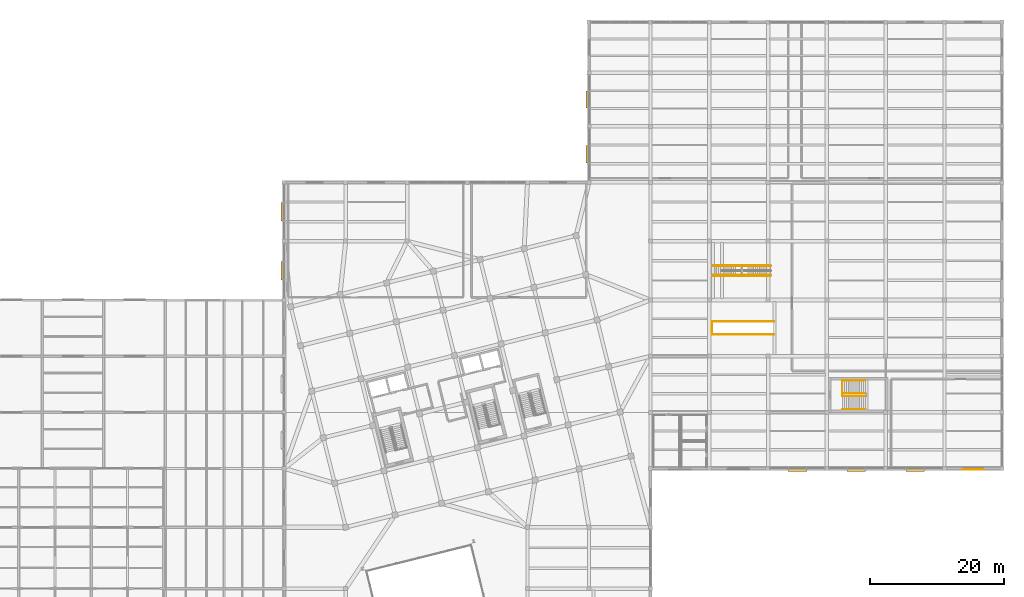
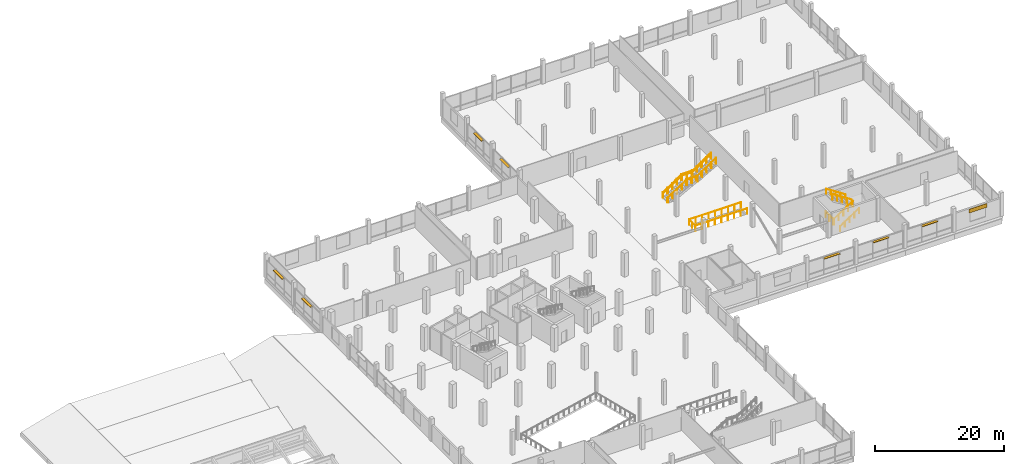
# One storey, part 76 of 77: 20 railings, 7 shading devices, 1 covering.
"""IFC4 building model written with IfcOpenShell, lengths in metres."""

from ifc_helpers import new_model, si_unit, direction, frame, origin, origin_2d, place, context, subcontext, project, spatial, rectangle, circle, extrude, material, layer, layer_set, type_object, element, save


model = new_model("IFC4")

# Units and contexts
model_context = context("Model", 3, precision=1e-05, world=origin(), true_north=direction((0.0, 1.0)))
body_context = subcontext(model_context, "Body", "Model", "MODEL_VIEW")
ifc_project = project(units=[si_unit("LENGTHUNIT", "METRE"), si_unit("AREAUNIT", "SQUARE_METRE"), si_unit("VOLUMEUNIT", "CUBIC_METRE"), si_unit("PLANEANGLEUNIT", "RADIAN"), si_unit("MASSUNIT", "GRAM", prefix="KILO")], contexts=[model_context])

# Site, building, storey
site_placement = place(None, origin())
site = spatial("IfcSite", under=ifc_project, at=site_placement, CompositionType="ELEMENT")
building_placement = place(site_placement, origin())
building = spatial("IfcBuilding", under=site, at=building_placement, Name="Meriwether Solvik Hall", CompositionType="ELEMENT")
storey_placement = place(building_placement, frame((0.0, 0.0, 9.89990234375)))
storey = spatial("IfcBuildingStorey", under=building, at=storey_placement, Name="L02", CompositionType="ELEMENT", Elevation=9.89990234375)

# Covering
ifc_material_1 = material(Name="Glazed Extruded Terracotta Ceramic", Category="masonry")
ifc_layer_1 = layer(ifc_material_1, 0.044921875)
ifc_layer_set_1 = layer_set([ifc_layer_1], Name="Glazed Extruded Terracotta Ceramic")
covering_type = type_object("IfcCoveringType", Name="COV-CLAD-TERRA", PredefinedType="CLADDING", material=ifc_layer_set_1)
covering_placement = place(storey_placement, frame((162.5, 49.824951171875, 2.59521484375), z_axis=(0.0, 0.0, 1.0), x_axis=(-1.0, 0.0, 0.0)))
element("IfcCovering", 1, at=covering_placement, inside=storey, type_object=covering_type, Name="L02 Facade Cladding XF_18_11", PredefinedType="CLADDING", context=body_context, shape_type="SweptSolid", body=[
    extrude(rectangle(XDim=3.199951171875, YDim=0.044921875, at=origin_2d()), origin(), (0.0, 0.0, 1.0), 0.75),
])

# Railings
ifc_material_2 = material(Name="Steel A36 Galvanised", Category="steel")
ifc_layer_2 = layer(ifc_material_2, 0.054931640625)
ifc_layer_set_2 = layer_set([ifc_layer_2], Name="Steel A36 Galvanised")
railing_type_1 = type_object("IfcRailingType", Name="RAIL-STR-GUARD", PredefinedType="GUARDRAIL", material=ifc_layer_set_2)
railing_1_placement = place(storey_placement, frame((142.889892578125, 60.840087890625, 0.0)))
element("IfcRailing", 2, at=railing_1_placement, inside=storey, type_object=railing_type_1, Name="Stair ST-05 Well Guardrail (L02)", PredefinedType="GUARDRAIL", context=body_context, shape_type="SweptSolid", body=[
    extrude(circle(Radius=0.02392578125, at=origin_2d()), frame((0.0, 0.0, 1.09619140625), z_axis=(0.0, 1.0, 0.0), x_axis=(-1.0, 0.0, 0.0)), (0.0, 0.0, 1.0), 2.35986328125),
    extrude(circle(Radius=0.02099609375, at=origin_2d()), origin(), (0.0, 0.0, 1.0), 1.072021484375),
    extrude(circle(Radius=0.02099609375, at=origin_2d()), frame((0.0, 1.179931640625, 0.0)), (0.0, 0.0, 1.0), 1.072021484375),
    extrude(circle(Radius=0.02099609375, at=origin_2d()), frame((0.0, 2.35986328125, 0.0)), (0.0, 0.0, 1.0), 1.072021484375),
])
railing_2_placement = place(storey_placement, frame((142.949951171875, 60.800048828125, 0.0)))
element("IfcRailing", 3, at=railing_2_placement, inside=storey, type_object=railing_type_1, Name="Stair ST-05 Flight 1 Inner Guardrail (L02)", PredefinedType="GUARDRAIL", context=body_context, shape_type="SweptSolid", body=[
    extrude(circle(Radius=0.02392578125, at=origin_2d()), frame((0.0, 0.0, 1.09619140625), z_axis=(0.835429331894, 0.0, 0.549597881557), x_axis=(0.0, 1.0, 0.0)), (0.0, 0.0, 1.0), 4.093994140625),
    extrude(circle(Radius=0.02099609375, at=origin_2d()), origin(), (0.0, 0.0, 1.0), 1.072021484375),
    extrude(circle(Radius=0.02099609375, at=origin_2d()), frame((0.85498046875, 0.0, 0.5625)), (0.0, 0.0, 1.0), 1.072021484375),
    extrude(circle(Radius=0.02099609375, at=origin_2d()), frame((1.7099609375, 0.0, 1.125)), (0.0, 0.0, 1.0), 1.072021484375),
    extrude(circle(Radius=0.02099609375, at=origin_2d()), frame((2.565185546875, 0.0, 1.6875)), (0.0, 0.0, 1.0), 1.072021484375),
    extrude(circle(Radius=0.02099609375, at=origin_2d()), frame((3.420166015625, 0.0, 2.25)), (0.0, 0.0, 1.0), 1.072021484375),
])
railing_3_placement = place(storey_placement, frame((146.3701171875, 61.199951171875, 2.25)))
element("IfcRailing", 4, at=railing_3_placement, inside=storey, type_object=railing_type_1, Name="Stair ST-05 Flight 2 Inner Guardrail (L02)", PredefinedType="GUARDRAIL", context=body_context, shape_type="SweptSolid", body=[
    extrude(circle(Radius=0.02392578125, at=origin_2d()), frame((0.0, 0.0, 1.09619140625), z_axis=(-0.835429331894, 0.0, 0.549597881557), x_axis=(0.0, -1.0, 0.0)), (0.0, 0.0, 1.0), 4.093994140625),
    extrude(circle(Radius=0.02099609375, at=origin_2d()), origin(), (0.0, 0.0, 1.0), 1.072021484375),
    extrude(circle(Radius=0.02099609375, at=origin_2d()), frame((-0.85498046875, 0.0, 0.5625)), (0.0, 0.0, 1.0), 1.072021484375),
    extrude(circle(Radius=0.02099609375, at=origin_2d()), frame((-1.7099609375, 0.0, 1.125)), (0.0, 0.0, 1.0), 1.072021484375),
    extrude(circle(Radius=0.02099609375, at=origin_2d()), frame((-2.565185546875, 0.0, 1.6875)), (0.0, 0.0, 1.0), 1.072021484375),
    extrude(circle(Radius=0.02099609375, at=origin_2d()), frame((-3.420166015625, 0.0, 2.25)), (0.0, 0.0, 1.0), 1.072021484375),
])
railing_4_placement = place(storey_placement, frame((132.72998046875, 70.034912109375, 0.0)))
element("IfcRailing", 5, at=railing_4_placement, inside=storey, type_object=railing_type_1, Name="Stair ST-LB1 Arrival Well Guardrail (L02) 1", PredefinedType="GUARDRAIL", context=body_context, shape_type="SweptSolid", body=[
    extrude(circle(Radius=0.02392578125, at=origin_2d()), frame((0.0, 0.0, 1.09619140625), z_axis=(-1.0, 0.0, 0.0), x_axis=(0.0, -1.0, 0.0)), (0.0, 0.0, 1.0), 9.307861328125),
    extrude(circle(Radius=0.02099609375, at=origin_2d()), origin(), (0.0, 0.0, 1.0), 1.072021484375),
    extrude(circle(Radius=0.02099609375, at=origin_2d()), frame((-1.16357421875, 0.0, 0.0)), (0.0, 0.0, 1.0), 1.072021484375),
    extrude(circle(Radius=0.02099609375, at=origin_2d()), frame((-2.326904296875, 0.0, 0.0)), (0.0, 0.0, 1.0), 1.072021484375),
    extrude(circle(Radius=0.02099609375, at=origin_2d()), frame((-3.490478515625, 0.0, 0.0)), (0.0, 0.0, 1.0), 1.072021484375),
    extrude(circle(Radius=0.02099609375, at=origin_2d()), frame((-4.65380859375, 0.0, 0.0)), (0.0, 0.0, 1.0), 1.072021484375),
    extrude(circle(Radius=0.02099609375, at=origin_2d()), frame((-5.8173828125, 0.0, 0.0)), (0.0, 0.0, 1.0), 1.072021484375),
    extrude(circle(Radius=0.02099609375, at=origin_2d()), frame((-6.98095703125, 0.0, 0.0)), (0.0, 0.0, 1.0), 1.072021484375),
    extrude(circle(Radius=0.02099609375, at=origin_2d()), frame((-8.144287109375, 0.0, 0.0)), (0.0, 0.0, 1.0), 1.072021484375),
    extrude(circle(Radius=0.02099609375, at=origin_2d()), frame((-9.307861328125, 0.0, 0.0)), (0.0, 0.0, 1.0), 1.072021484375),
])
railing_5_placement = place(storey_placement, frame((123.389892578125, 70.06689453125, 0.0)))
element("IfcRailing", 6, at=railing_5_placement, inside=storey, type_object=railing_type_1, Name="Stair ST-LB1 Arrival Well Guardrail (L02) 2", PredefinedType="GUARDRAIL", context=body_context, shape_type="SweptSolid", body=[
    extrude(circle(Radius=0.02392578125, at=origin_2d()), frame((0.0, 0.0, 1.09619140625), z_axis=(0.0, 1.0, 0.0), x_axis=(-1.0, 0.0, 0.0)), (0.0, 0.0, 1.0), 1.8662109375),
    extrude(circle(Radius=0.02099609375, at=origin_2d()), origin(), (0.0, 0.0, 1.0), 1.072021484375),
    extrude(circle(Radius=0.02099609375, at=origin_2d()), frame((0.0, 0.93310546875, 0.0)), (0.0, 0.0, 1.0), 1.072021484375),
    extrude(circle(Radius=0.02099609375, at=origin_2d()), frame((0.0, 1.8662109375, 0.0)), (0.0, 0.0, 1.0), 1.072021484375),
])
railing_6_placement = place(storey_placement, frame((123.422119140625, 71.965087890625, 0.0)))
element("IfcRailing", 7, at=railing_6_placement, inside=storey, type_object=railing_type_1, Name="Stair ST-LB1 Arrival Well Guardrail (L02) 3", PredefinedType="GUARDRAIL", context=body_context, shape_type="SweptSolid", body=[
    extrude(circle(Radius=0.02392578125, at=origin_2d()), frame((0.0, 0.0, 1.09619140625), z_axis=(1.0, 0.0, 0.0), x_axis=(0.0, 1.0, 0.0)), (0.0, 0.0, 1.0), 9.307861328125),
    extrude(circle(Radius=0.02099609375, at=origin_2d()), origin(), (0.0, 0.0, 1.0), 1.072021484375),
    extrude(circle(Radius=0.02099609375, at=origin_2d()), frame((1.16357421875, 0.0, 0.0)), (0.0, 0.0, 1.0), 1.072021484375),
    extrude(circle(Radius=0.02099609375, at=origin_2d()), frame((2.326904296875, 0.0, 0.0)), (0.0, 0.0, 1.0), 1.072021484375),
    extrude(circle(Radius=0.02099609375, at=origin_2d()), frame((3.490478515625, 0.0, 0.0)), (0.0, 0.0, 1.0), 1.072021484375),
    extrude(circle(Radius=0.02099609375, at=origin_2d()), frame((4.65380859375, 0.0, 0.0)), (0.0, 0.0, 1.0), 1.072021484375),
    extrude(circle(Radius=0.02099609375, at=origin_2d()), frame((5.8173828125, 0.0, 0.0)), (0.0, 0.0, 1.0), 1.072021484375),
    extrude(circle(Radius=0.02099609375, at=origin_2d()), frame((6.98095703125, 0.0, 0.0)), (0.0, 0.0, 1.0), 1.072021484375),
    extrude(circle(Radius=0.02099609375, at=origin_2d()), frame((8.144287109375, 0.0, 0.0)), (0.0, 0.0, 1.0), 1.072021484375),
    extrude(circle(Radius=0.02099609375, at=origin_2d()), frame((9.307861328125, 0.0, 0.0)), (0.0, 0.0, 1.0), 1.072021484375),
])
railing_7_placement = place(storey_placement, frame((123.550048828125, 78.804931640625, 0.0)))
element("IfcRailing", 8, at=railing_7_placement, inside=storey, type_object=railing_type_1, Name="Stair ST-LB3 Guardrail L 1", PredefinedType="GUARDRAIL", context=body_context, shape_type="SweptSolid", body=[
    extrude(circle(Radius=0.02392578125, at=origin_2d()), frame((0.0, 0.0, 1.09619140625), z_axis=(0.830876226879, 0.0, 0.55645727204), x_axis=(0.0, 1.0, 0.0)), (0.0, 0.0, 1.0), 4.00537109375),
    extrude(circle(Radius=0.02099609375, at=origin_2d()), origin(), (0.0, 0.0, 1.0), 1.072021484375),
    extrude(circle(Radius=0.02099609375, at=origin_2d()), frame((0.83203125, 0.0, 0.55712890625)), (0.0, 0.0, 1.0), 1.072021484375),
    extrude(circle(Radius=0.02099609375, at=origin_2d()), frame((1.6640625, 0.0, 1.1142578125)), (0.0, 0.0, 1.0), 1.072021484375),
    extrude(circle(Radius=0.02099609375, at=origin_2d()), frame((2.495849609375, 0.0, 1.671630859375)), (0.0, 0.0, 1.0), 1.072021484375),
    extrude(circle(Radius=0.02099609375, at=origin_2d()), frame((3.327880859375, 0.0, 2.228759765625)), (0.0, 0.0, 1.0), 1.072021484375),
])
railing_8_placement = place(storey_placement, frame((126.94189453125, 78.804931640625, 2.25)))
element("IfcRailing", 9, at=railing_8_placement, inside=storey, type_object=railing_type_1, Name="Stair ST-LB3 Guardrail L 2", PredefinedType="GUARDRAIL", context=body_context, shape_type="SweptSolid", body=[
    extrude(circle(Radius=0.02392578125, at=origin_2d()), frame((0.0, 0.0, 1.09619140625), z_axis=(1.0, 0.0, 0.0), x_axis=(0.0, 1.0, 0.0)), (0.0, 0.0, 1.0), 1.836181640625),
    extrude(circle(Radius=0.02099609375, at=origin_2d()), origin(), (0.0, 0.0, 1.0), 1.072021484375),
    extrude(circle(Radius=0.02099609375, at=origin_2d()), frame((0.91796875, 0.0, 0.0)), (0.0, 0.0, 1.0), 1.072021484375),
    extrude(circle(Radius=0.02099609375, at=origin_2d()), frame((1.836181640625, 0.0, 0.0)), (0.0, 0.0, 1.0), 1.072021484375),
])
railing_9_placement = place(storey_placement, frame((128.842041015625, 78.804931640625, 2.271484375)))
element("IfcRailing", 10, at=railing_9_placement, inside=storey, type_object=railing_type_1, Name="Stair ST-LB3 Guardrail L 3", PredefinedType="GUARDRAIL", context=body_context, shape_type="SweptSolid", body=[
    extrude(circle(Radius=0.02392578125, at=origin_2d()), frame((0.0, 0.0, 1.09619140625), z_axis=(0.830904409092, 0.0, 0.556415189362), x_axis=(0.0, 1.0, 0.0)), (0.0, 0.0, 1.0), 4.005126953125),
    extrude(circle(Radius=0.02099609375, at=origin_2d()), origin(), (0.0, 0.0, 1.0), 1.072021484375),
    extrude(circle(Radius=0.02099609375, at=origin_2d()), frame((0.83203125, 0.0, 0.55712890625)), (0.0, 0.0, 1.0), 1.072021484375),
    extrude(circle(Radius=0.02099609375, at=origin_2d()), frame((1.6640625, 0.0, 1.1142578125)), (0.0, 0.0, 1.0), 1.072021484375),
    extrude(circle(Radius=0.02099609375, at=origin_2d()), frame((2.495849609375, 0.0, 1.67138671875)), (0.0, 0.0, 1.0), 1.072021484375),
    extrude(circle(Radius=0.02099609375, at=origin_2d()), frame((3.327880859375, 0.0, 2.228515625)), (0.0, 0.0, 1.0), 1.072021484375),
])
railing_10_placement = place(storey_placement, frame((123.550048828125, 80.39501953125, 0.0)))
element("IfcRailing", 11, at=railing_10_placement, inside=storey, type_object=railing_type_1, Name="Stair ST-LB3 Guardrail R 1", PredefinedType="GUARDRAIL", context=body_context, shape_type="SweptSolid", body=[
    extrude(circle(Radius=0.02392578125, at=origin_2d()), frame((0.0, 0.0, 1.09619140625), z_axis=(0.830876226879, 0.0, 0.55645727204), x_axis=(0.0, 1.0, 0.0)), (0.0, 0.0, 1.0), 4.00537109375),
    extrude(circle(Radius=0.02099609375, at=origin_2d()), origin(), (0.0, 0.0, 1.0), 1.072021484375),
    extrude(circle(Radius=0.02099609375, at=origin_2d()), frame((0.83203125, 0.0, 0.55712890625)), (0.0, 0.0, 1.0), 1.072021484375),
    extrude(circle(Radius=0.02099609375, at=origin_2d()), frame((1.6640625, 0.0, 1.1142578125)), (0.0, 0.0, 1.0), 1.072021484375),
    extrude(circle(Radius=0.02099609375, at=origin_2d()), frame((2.495849609375, 0.0, 1.671630859375)), (0.0, 0.0, 1.0), 1.072021484375),
    extrude(circle(Radius=0.02099609375, at=origin_2d()), frame((3.327880859375, 0.0, 2.228759765625)), (0.0, 0.0, 1.0), 1.072021484375),
])
railing_11_placement = place(storey_placement, frame((126.94189453125, 80.39501953125, 2.25)))
element("IfcRailing", 12, at=railing_11_placement, inside=storey, type_object=railing_type_1, Name="Stair ST-LB3 Guardrail R 2", PredefinedType="GUARDRAIL", context=body_context, shape_type="SweptSolid", body=[
    extrude(circle(Radius=0.02392578125, at=origin_2d()), frame((0.0, 0.0, 1.09619140625), z_axis=(1.0, 0.0, 0.0), x_axis=(0.0, 1.0, 0.0)), (0.0, 0.0, 1.0), 1.836181640625),
    extrude(circle(Radius=0.02099609375, at=origin_2d()), origin(), (0.0, 0.0, 1.0), 1.072021484375),
    extrude(circle(Radius=0.02099609375, at=origin_2d()), frame((0.91796875, 0.0, 0.0)), (0.0, 0.0, 1.0), 1.072021484375),
    extrude(circle(Radius=0.02099609375, at=origin_2d()), frame((1.836181640625, 0.0, 0.0)), (0.0, 0.0, 1.0), 1.072021484375),
])
railing_12_placement = place(storey_placement, frame((128.842041015625, 80.39501953125, 2.271484375)))
element("IfcRailing", 13, at=railing_12_placement, inside=storey, type_object=railing_type_1, Name="Stair ST-LB3 Guardrail R 3", PredefinedType="GUARDRAIL", context=body_context, shape_type="SweptSolid", body=[
    extrude(circle(Radius=0.02392578125, at=origin_2d()), frame((0.0, 0.0, 1.09619140625), z_axis=(0.830904409092, 0.0, 0.556415189362), x_axis=(0.0, 1.0, 0.0)), (0.0, 0.0, 1.0), 4.005126953125),
    extrude(circle(Radius=0.02099609375, at=origin_2d()), origin(), (0.0, 0.0, 1.0), 1.072021484375),
    extrude(circle(Radius=0.02099609375, at=origin_2d()), frame((0.83203125, 0.0, 0.55712890625)), (0.0, 0.0, 1.0), 1.072021484375),
    extrude(circle(Radius=0.02099609375, at=origin_2d()), frame((1.6640625, 0.0, 1.1142578125)), (0.0, 0.0, 1.0), 1.072021484375),
    extrude(circle(Radius=0.02099609375, at=origin_2d()), frame((2.495849609375, 0.0, 1.67138671875)), (0.0, 0.0, 1.0), 1.072021484375),
    extrude(circle(Radius=0.02099609375, at=origin_2d()), frame((3.327880859375, 0.0, 2.228515625)), (0.0, 0.0, 1.0), 1.072021484375),
])
ifc_material_3 = material(Name="Stainless Steel AISI 316", Category="steel")
ifc_layer_3 = layer(ifc_material_3, 0.044921875)
ifc_layer_set_3 = layer_set([ifc_layer_3], Name="Stainless Steel AISI 316")
railing_type_2 = type_object("IfcRailingType", Name="RAIL-STR-HAND", PredefinedType="HANDRAIL", material=ifc_layer_set_3)
railing_13_placement = place(storey_placement, frame((142.949951171875, 58.85009765625, 0.0)))
element("IfcRailing", 14, at=railing_13_placement, inside=storey, type_object=railing_type_2, Name="Stair ST-05 Lower Handrail (L02)", PredefinedType="HANDRAIL", context=body_context, shape_type="SweptSolid", body=[
    extrude(circle(Radius=0.02392578125, at=origin_2d()), frame((0.0, 0.0, 0.89599609375), z_axis=(0.835396221393, 0.0, 0.54964820866), x_axis=(0.0, 1.0, 0.0)), (0.0, 0.0, 1.0), 4.10107421875),
    extrude(circle(Radius=0.02099609375, at=origin_2d()), origin(), (0.0, 0.0, 1.0), 0.871826171875),
    extrude(circle(Radius=0.02099609375, at=origin_2d()), frame((0.8564453125, 0.0, 0.5634765625)), (0.0, 0.0, 1.0), 0.871826171875),
    extrude(circle(Radius=0.02099609375, at=origin_2d()), frame((1.712890625, 0.0, 1.126953125)), (0.0, 0.0, 1.0), 0.871826171875),
    extrude(circle(Radius=0.02099609375, at=origin_2d()), frame((2.569580078125, 0.0, 1.690673828125)), (0.0, 0.0, 1.0), 0.871826171875),
    extrude(circle(Radius=0.02099609375, at=origin_2d()), frame((3.426025390625, 0.0, 2.254150390625)), (0.0, 0.0, 1.0), 0.871826171875),
])
railing_14_placement = place(storey_placement, frame((146.3701171875, 63.14990234375, 2.25)))
element("IfcRailing", 15, at=railing_14_placement, inside=storey, type_object=railing_type_2, Name="Stair ST-05 Upper Handrail (L02)", PredefinedType="HANDRAIL", context=body_context, shape_type="SweptSolid", body=[
    extrude(circle(Radius=0.02392578125, at=origin_2d()), frame((0.0, 0.0, 0.89599609375), z_axis=(-0.835396221393, 0.0, 0.54964820866), x_axis=(0.0, -1.0, 0.0)), (0.0, 0.0, 1.0), 4.10107421875),
    extrude(circle(Radius=0.02099609375, at=origin_2d()), origin(), (0.0, 0.0, 1.0), 0.871826171875),
    extrude(circle(Radius=0.02099609375, at=origin_2d()), frame((-0.8564453125, 0.0, 0.5634765625)), (0.0, 0.0, 1.0), 0.871826171875),
    extrude(circle(Radius=0.02099609375, at=origin_2d()), frame((-1.712890625, 0.0, 1.126953125)), (0.0, 0.0, 1.0), 0.871826171875),
    extrude(circle(Radius=0.02099609375, at=origin_2d()), frame((-2.569580078125, 0.0, 1.690673828125)), (0.0, 0.0, 1.0), 0.871826171875),
    extrude(circle(Radius=0.02099609375, at=origin_2d()), frame((-3.426025390625, 0.0, 2.254150390625)), (0.0, 0.0, 1.0), 0.871826171875),
])
railing_15_placement = place(storey_placement, frame((123.550048828125, 78.925048828125, 0.0)))
element("IfcRailing", 16, at=railing_15_placement, inside=storey, type_object=railing_type_2, Name="Stair ST-LB3 Handrail L 1", PredefinedType="HANDRAIL", context=body_context, shape_type="SweptSolid", body=[
    extrude(circle(Radius=0.02392578125, at=origin_2d()), frame((0.0, 0.0, 0.89599609375), z_axis=(0.830889513654, 0.0, 0.556437432332), x_axis=(0.0, 1.0, 0.0)), (0.0, 0.0, 1.0), 4.051025390625),
    extrude(circle(Radius=0.02099609375, at=origin_2d()), origin(), (0.0, 0.0, 1.0), 0.871826171875),
    extrude(circle(Radius=0.02099609375, at=origin_2d()), frame((0.841552734375, 0.0, 0.5634765625)), (0.0, 0.0, 1.0), 0.871826171875),
    extrude(circle(Radius=0.02099609375, at=origin_2d()), frame((1.68310546875, 0.0, 1.126953125)), (0.0, 0.0, 1.0), 0.871826171875),
    extrude(circle(Radius=0.02099609375, at=origin_2d()), frame((2.5244140625, 0.0, 1.690673828125)), (0.0, 0.0, 1.0), 0.871826171875),
    extrude(circle(Radius=0.02099609375, at=origin_2d()), frame((3.365966796875, 0.0, 2.254150390625)), (0.0, 0.0, 1.0), 0.871826171875),
])
railing_16_placement = place(storey_placement, frame((126.97509765625, 78.925048828125, 2.25)))
element("IfcRailing", 17, at=railing_16_placement, inside=storey, type_object=railing_type_2, Name="Stair ST-LB3 Handrail L 2", PredefinedType="HANDRAIL", context=body_context, shape_type="SweptSolid", body=[
    extrude(circle(Radius=0.02392578125, at=origin_2d()), frame((0.0, 0.0, 0.89599609375), z_axis=(1.0, 0.0, 0.0), x_axis=(0.0, 1.0, 0.0)), (0.0, 0.0, 1.0), 1.77001953125),
    extrude(circle(Radius=0.02099609375, at=origin_2d()), origin(), (0.0, 0.0, 1.0), 0.871826171875),
    extrude(circle(Radius=0.02099609375, at=origin_2d()), frame((0.885009765625, 0.0, 0.0)), (0.0, 0.0, 1.0), 0.871826171875),
    extrude(circle(Radius=0.02099609375, at=origin_2d()), frame((1.77001953125, 0.0, 0.0)), (0.0, 0.0, 1.0), 0.871826171875),
])
for number, where, name in (
    (18, (128.81005859375, 78.925048828125, 2.25), "Stair ST-LB3 Handrail L 3"),
    (19, (123.550048828125, 80.27490234375, 0.0), "Stair ST-LB3 Handrail R 1"),
):
    element("IfcRailing", number, at=place(storey_placement, frame(where)), inside=storey, type_object=railing_type_2, Name=name, PredefinedType="HANDRAIL", context=body_context, shape_type="SweptSolid", body=[
        extrude(circle(Radius=0.02392578125, at=origin_2d()), frame((0.0, 0.0, 0.89599609375), z_axis=(0.830889513654, 0.0, 0.556437432332), x_axis=(0.0, 1.0, 0.0)), (0.0, 0.0, 1.0), 4.051025390625),
        extrude(circle(Radius=0.02099609375, at=origin_2d()), origin(), (0.0, 0.0, 1.0), 0.871826171875),
        extrude(circle(Radius=0.02099609375, at=origin_2d()), frame((0.841552734375, 0.0, 0.5634765625)), (0.0, 0.0, 1.0), 0.871826171875),
        extrude(circle(Radius=0.02099609375, at=origin_2d()), frame((1.68310546875, 0.0, 1.126953125)), (0.0, 0.0, 1.0), 0.871826171875),
        extrude(circle(Radius=0.02099609375, at=origin_2d()), frame((2.5244140625, 0.0, 1.690673828125)), (0.0, 0.0, 1.0), 0.871826171875),
        extrude(circle(Radius=0.02099609375, at=origin_2d()), frame((3.365966796875, 0.0, 2.254150390625)), (0.0, 0.0, 1.0), 0.871826171875),
    ])
railing_17_placement = place(storey_placement, frame((126.97509765625, 80.27490234375, 2.25)))
element("IfcRailing", 20, at=railing_17_placement, inside=storey, type_object=railing_type_2, Name="Stair ST-LB3 Handrail R 2", PredefinedType="HANDRAIL", context=body_context, shape_type="SweptSolid", body=[
    extrude(circle(Radius=0.02392578125, at=origin_2d()), frame((0.0, 0.0, 0.89599609375), z_axis=(1.0, 0.0, 0.0), x_axis=(0.0, 1.0, 0.0)), (0.0, 0.0, 1.0), 1.77001953125),
    extrude(circle(Radius=0.02099609375, at=origin_2d()), origin(), (0.0, 0.0, 1.0), 0.871826171875),
    extrude(circle(Radius=0.02099609375, at=origin_2d()), frame((0.885009765625, 0.0, 0.0)), (0.0, 0.0, 1.0), 0.871826171875),
    extrude(circle(Radius=0.02099609375, at=origin_2d()), frame((1.77001953125, 0.0, 0.0)), (0.0, 0.0, 1.0), 0.871826171875),
])
railing_18_placement = place(storey_placement, frame((128.81005859375, 80.27490234375, 2.25)))
element("IfcRailing", 21, at=railing_18_placement, inside=storey, type_object=railing_type_2, Name="Stair ST-LB3 Handrail R 3", PredefinedType="HANDRAIL", context=body_context, shape_type="SweptSolid", body=[
    extrude(circle(Radius=0.02392578125, at=origin_2d()), frame((0.0, 0.0, 0.89599609375), z_axis=(0.830889513654, 0.0, 0.556437432332), x_axis=(0.0, 1.0, 0.0)), (0.0, 0.0, 1.0), 4.051025390625),
    extrude(circle(Radius=0.02099609375, at=origin_2d()), origin(), (0.0, 0.0, 1.0), 0.871826171875),
    extrude(circle(Radius=0.02099609375, at=origin_2d()), frame((0.841552734375, 0.0, 0.5634765625)), (0.0, 0.0, 1.0), 0.871826171875),
    extrude(circle(Radius=0.02099609375, at=origin_2d()), frame((1.68310546875, 0.0, 1.126953125)), (0.0, 0.0, 1.0), 0.871826171875),
    extrude(circle(Radius=0.02099609375, at=origin_2d()), frame((2.5244140625, 0.0, 1.690673828125)), (0.0, 0.0, 1.0), 0.871826171875),
    extrude(circle(Radius=0.02099609375, at=origin_2d()), frame((3.365966796875, 0.0, 2.254150390625)), (0.0, 0.0, 1.0), 0.871826171875),
])

# Shading devices
ifc_material_4 = material(Name="Anodised Aluminium 6063-T6", Category="aluminium")
shading_device_type_1 = type_object("IfcShadingDeviceType", Name="SHD-LOUVRE-S", PredefinedType="SHUTTER", material=ifc_material_4)
for number, where, z_axis, x_axis, name in (
    (22, (136.199951171875, 49.760009765625, 3.135009765625), (0.0, 0.0, 1.0), (-1.0, 0.0, 0.0), "Solar Shading Louvre wing_XF_15_8"),
    (23, (145.0, 49.760009765625, 3.135009765625), (0.0, 0.0, 1.0), (-1.0, 0.0, 0.0), "Solar Shading Louvre wing_XF_16_9"),
    (24, (153.800048828125, 49.760009765625, 3.135009765625), (0.0, 0.0, 1.0), (-1.0, 0.0, 0.0), "Solar Shading Louvre wing_XF_17_10"),
):
    element("IfcShadingDevice", number, at=place(storey_placement, frame(where, z_axis=z_axis, x_axis=x_axis)), inside=storey, type_object=shading_device_type_1, Name=name, PredefinedType="SHUTTER", context=body_context, shape_type="SweptSolid", body=[
        extrude(rectangle(XDim=2.77734375, YDim=0.4599609375, at=origin_2d()), origin(), (0.0, 0.0, 1.0), 0.080078125),
    ])
ifc_material_5 = material(Name="Anodised Aluminium 6063-T6", Category="aluminium")
shading_device_type_2 = type_object("IfcShadingDeviceType", Name="SHD-LOUVRE-W", PredefinedType="USERDEFINED", material=ifc_material_5)
for number, where, z_axis, x_axis, name in (
    (25, (59.159912109375, 79.60009765625, 3.135009765625), (0.0, 0.0, 1.0), (0.0, 1.0, 0.0), "Solar Shading Louvre wing_Y7_9_32"),
    (26, (59.159912109375, 88.39990234375, 3.135009765625), (0.0, 0.0, 1.0), (0.0, 1.0, 0.0), "Solar Shading Louvre wing_Y7_10_33"),
):
    element("IfcShadingDevice", number, at=place(storey_placement, frame(where, z_axis=z_axis, x_axis=x_axis)), inside=storey, type_object=shading_device_type_2, Name=name, ObjectType="LOUVER", PredefinedType="USERDEFINED", context=body_context, shape_type="SweptSolid", body=[
        extrude(rectangle(XDim=2.77734375, YDim=0.4599609375, at=origin_2d()), origin(), (0.0, 0.0, 1.0), 0.080078125),
    ])
shading_device_1_placement = place(storey_placement, frame((104.760009765625, 97.0, 3.135009765625), z_axis=(0.0, 0.0, 1.0), x_axis=(0.0, 1.0, 0.0)))
element("IfcShadingDevice", 27, at=shading_device_1_placement, inside=storey, type_object=shading_device_type_2, Name="Solar Shading Louvre wing_Y12_11_34", ObjectType="LOUVER", PredefinedType="USERDEFINED", context=body_context, shape_type="SweptSolid", body=[
    extrude(rectangle(XDim=2.64404296875, YDim=0.4599609375, at=origin_2d()), origin(), (0.0, 0.0, 1.0), 0.080078125),
])
shading_device_2_placement = place(storey_placement, frame((104.760009765625, 105.199951171875, 3.135009765625), z_axis=(0.0, 0.0, 1.0), x_axis=(0.0, 1.0, 0.0)))
element("IfcShadingDevice", 28, at=shading_device_2_placement, inside=storey, type_object=shading_device_type_2, Name="Solar Shading Louvre wing_Y12_12_35", ObjectType="LOUVER", PredefinedType="USERDEFINED", context=body_context, shape_type="SweptSolid", body=[
    extrude(rectangle(XDim=2.5107421875, YDim=0.4599609375, at=origin_2d()), origin(), (0.0, 0.0, 1.0), 0.080078125),
])

save(model, "model.ifc")
